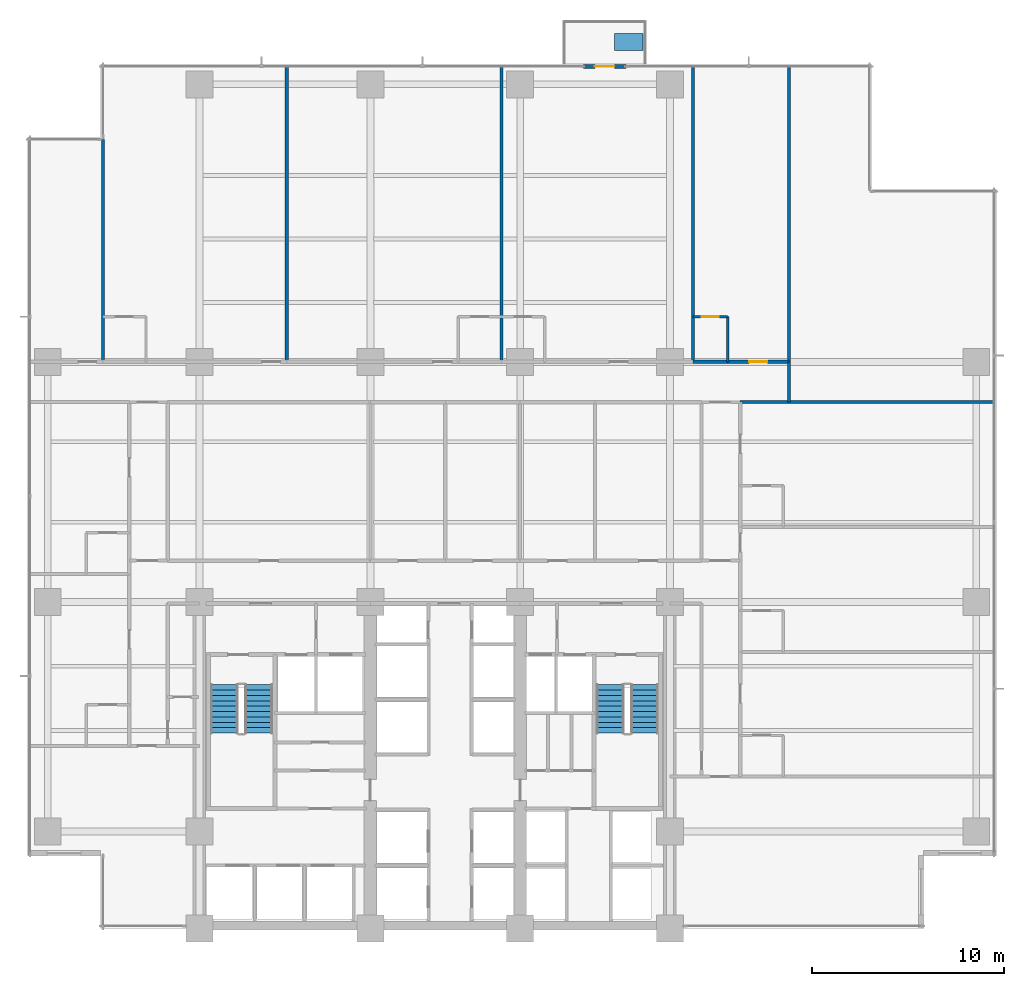
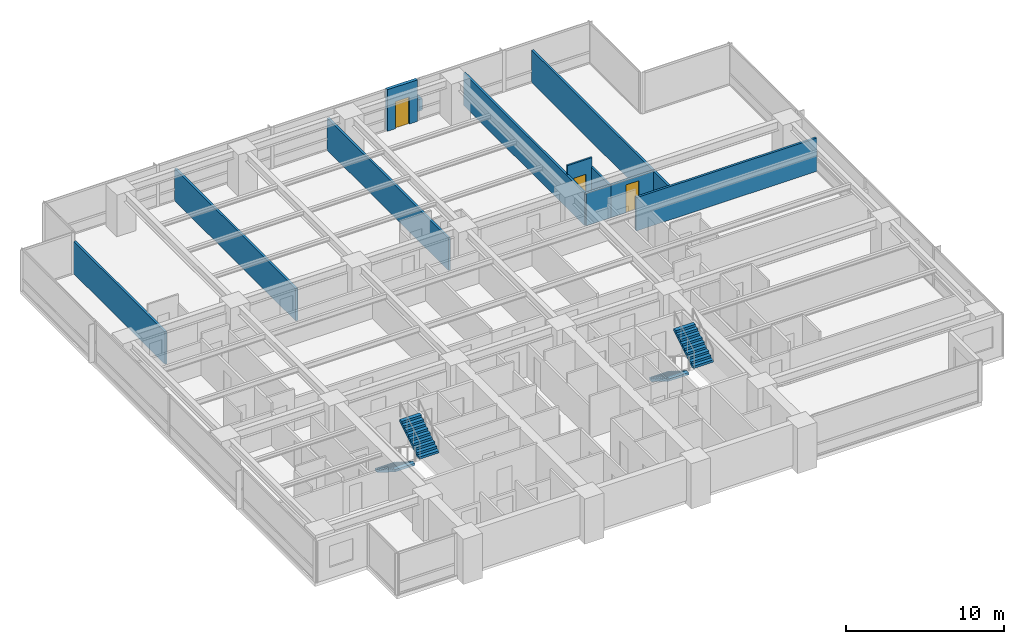
# One storey, part 11 of 16: 12 walls, 4 stair flights, 3 doors, 1 discrete accessory, 3 openings, 2 elements without a shape of their own.
"""IFC4 building model written with IfcOpenShell, lengths in metres."""

import ifcopenshell
import ifcopenshell.guid

model = None  # the IFC model being written
_history = None  # IfcOwnerHistory: only IFC2X3 demands one
_inside = {}  # id of a spatial element -> (the spatial element, [elements in it])
_under = {}  # id of a project, library or spatial element -> (it, [spatial elements below it])
_declared = {}  # id of a project -> (the project, [libraries it declares])
_typed = {}  # id of a type object -> (the type object, [elements of that type])
_made_of = {}  # id of a material, layer set ... -> (it, [elements and type objects made of it])


def new_model(schema):
    """Start an empty IFC model of exactly this schema.

    Asked for "IFC4X3", IfcOpenShell would pick the latest addendum, in which some entities
    have other attributes; the version numbers below select the first issue.
    IFC2X3 requires an IfcOwnerHistory on every rooted entity: one is made here for all.
    """
    global model, _history
    if schema == "IFC4X3":
        model = ifcopenshell.file(schema_version=(4, 3, 0, 0))
    else:
        model = ifcopenshell.file(schema=schema)
    _inside.clear()
    _under.clear()
    _declared.clear()
    _typed.clear()
    _made_of.clear()
    _history = None
    if model.schema == "IFC2X3":
        org = make("IfcOrganization", Name="unknown")
        user = make(
            "IfcPersonAndOrganization",
            ThePerson=make("IfcPerson", FamilyName="unknown"),
            TheOrganization=org,
        )
        app = make(
            "IfcApplication",
            ApplicationDeveloper=org,
            Version="unknown",
            ApplicationFullName="unknown",
            ApplicationIdentifier="unknown",
        )
        _history = make(
            "IfcOwnerHistory",
            OwningUser=user,
            OwningApplication=app,
            ChangeAction="ADDED",
            CreationDate=0,
        )
    return model


def make(cls, **values):
    """One entity of the class cls with the attributes given. An attribute that is None is left unset."""
    return model.create_entity(
        cls, **{name: value for name, value in values.items() if value is not None}
    )


def rooted(cls, **values):
    """An entity with a GlobalId (a new one), such as an element, a storey or a relation."""
    return make(cls, GlobalId=ifcopenshell.guid.new(), OwnerHistory=_history, **values)


def si_unit(unit_type, name, prefix=None):
    """IfcSIUnit, for example si_unit("LENGTHUNIT", "METRE", prefix="MILLI")."""
    return make("IfcSIUnit", UnitType=unit_type, Prefix=prefix, Name=name)


def assignment(units):
    """IfcUnitAssignment: the units of a project."""
    return None if units is None else make("IfcUnitAssignment", Units=units)


def point(xyz):
    """IfcCartesianPoint."""
    return None if xyz is None else make("IfcCartesianPoint", Coordinates=xyz)


def direction(xyz):
    """IfcDirection."""
    return None if xyz is None else make("IfcDirection", DirectionRatios=xyz)


def frame(location, z_axis=None, x_axis=None):
    """IfcAxis2Placement3D, a coordinate frame: its origin and axes. An axis left out is left unset."""
    return make(
        "IfcAxis2Placement3D",
        Location=point(location),
        Axis=direction(z_axis),
        RefDirection=direction(x_axis),
    )


def frame_2d(location, x_axis=None):
    """IfcAxis2Placement2D, a coordinate frame in the plane: its origin and x axis."""
    return make(
        "IfcAxis2Placement2D", Location=point(location), RefDirection=direction(x_axis)
    )


def origin():
    """The frame at (0, 0, 0) with its axes left unset."""
    return frame((0.0, 0.0, 0.0))


def place(relative_to, where):
    """IfcLocalPlacement: puts the frame where relative to a parent placement (None: the world)."""
    return make(
        "IfcLocalPlacement", PlacementRelTo=relative_to, RelativePlacement=where
    )


def context(
    kind, dimensions, precision=None, world=None, true_north=None, identifier=None
):
    """IfcGeometricRepresentationContext, for example the 3D "Model" context."""
    return make(
        "IfcGeometricRepresentationContext",
        ContextIdentifier=identifier,
        ContextType=kind,
        CoordinateSpaceDimension=dimensions,
        Precision=precision,
        WorldCoordinateSystem=world,
        TrueNorth=true_north,
    )


def subcontext(parent, identifier, kind, view, scale=None):
    """IfcGeometricRepresentationSubContext, for example "Body" below "Model"."""
    return make(
        "IfcGeometricRepresentationSubContext",
        ContextIdentifier=identifier,
        ContextType=kind,
        ParentContext=parent,
        TargetScale=scale,
        TargetView=view,
    )


def project(units=None, contexts=None):
    """IfcProject with its units and contexts."""
    return rooted(
        "IfcProject",
        Name="project",
        RepresentationContexts=contexts,
        UnitsInContext=assignment(units),
    )


def spatial(cls, under=None, at=None, **own):
    """A site, building, storey or space (cls), placed at a placement, below another one or the project."""
    s = rooted(cls, ObjectPlacement=at, **own)
    if under is not None:
        _under.setdefault(under.id(), (under, []))[1].append(s)
    return s


def polyline(points):
    """IfcPolyline through the points."""
    return make("IfcPolyline", Points=[point(p) for p in points])


def profile(cls, at=None, kind="AREA", **sizes):
    """A parametric profile (cls). Its sizes go by their IFC names, for example OverallWidth=200.0."""
    return make(cls, ProfileType=kind, Position=at, **sizes)


def rectangle(**sizes):
    """IfcRectangleProfileDef."""
    return profile("IfcRectangleProfileDef", **sizes)


def outline(outer, holes=None, kind="AREA"):
    """IfcArbitraryClosedProfileDef: a profile drawn as a closed curve; with holes, ...WithVoids."""
    if holes is None:
        return make("IfcArbitraryClosedProfileDef", ProfileType=kind, OuterCurve=outer)
    return make(
        "IfcArbitraryProfileDefWithVoids",
        ProfileType=kind,
        OuterCurve=outer,
        InnerCurves=holes,
    )


def extrude(swept, where, along, depth):
    """IfcExtrudedAreaSolid: the profile swept, set in the frame where, extruded along a direction by depth."""
    return make(
        "IfcExtrudedAreaSolid",
        SweptArea=swept,
        Position=where,
        ExtrudedDirection=direction(along),
        Depth=depth,
    )


def shape(context_of_items, identifier, shape_type, items):
    """IfcShapeRepresentation: the items that make up one representation, for example the "Body"."""
    return make(
        "IfcShapeRepresentation",
        ContextOfItems=context_of_items,
        RepresentationIdentifier=identifier,
        RepresentationType=shape_type,
        Items=items,
    )


def material(Name=None, Category=None):
    """IfcMaterial."""
    return make("IfcMaterial", Name=Name, Category=Category)


def layer(
    of_material, thickness, ventilated=None, Name=None, Category=None, Priority=None
):
    """IfcMaterialLayer: one layer of a wall or slab, of a material (None: an air gap)."""
    return make(
        "IfcMaterialLayer",
        Material=of_material,
        LayerThickness=thickness,
        IsVentilated=ventilated,
        Name=Name,
        Category=Category,
        Priority=Priority,
    )


def layer_set(layers, Name=None):
    """IfcMaterialLayerSet."""
    return make("IfcMaterialLayerSet", MaterialLayers=layers, LayerSetName=Name)


def made_of(thing, what):
    """Note that an element or type object is made of a material, layer set ...; save() writes the relation."""
    if what is not None:
        _made_of.setdefault(what.id(), (what, []))[1].append(thing)
    return thing


def type_object(cls, material=None, **own):
    """A type object (cls), such as IfcWallType, which elements share."""
    return made_of(rooted(cls, **own), material)


def element(
    cls,
    number,
    at=None,
    inside=None,
    cuts=None,
    type_object=None,
    material=None,
    context=None,
    identifier="Body",
    shape_type=None,
    held_by="IfcProductDefinitionShape",
    body=None,
    shapes=None,
    **own,
):
    """One element of the class cls, such as IfcWall. Its Tag is "e" and its number.

    at: its placement. inside: the storey or other place that contains it. cuts: it is an
    opening in that element (IfcRelVoidsElement). A single representation is given by context,
    identifier, shape_type and body (its items); several are given by shapes. held_by: the class
    of the entity that holds the representations. save() writes the other relations.
    """
    e = rooted(cls, Tag="e%d" % number, ObjectPlacement=at, **own)
    if body is not None:
        shapes = [shape(context, identifier, shape_type, body)]
    if shapes is not None:
        e.Representation = make(held_by, Representations=shapes)
    if inside is not None:
        _inside.setdefault(inside.id(), (inside, []))[1].append(e)
    if cuts is not None:
        rooted(
            "IfcRelVoidsElement", RelatingBuildingElement=cuts, RelatedOpeningElement=e
        )
    if type_object is not None:
        _typed.setdefault(type_object.id(), (type_object, []))[1].append(e)
    return made_of(e, material)


def fill(opening, filler):
    """IfcRelFillsElement: the door or window that sits in an opening."""
    return rooted(
        "IfcRelFillsElement",
        RelatingOpeningElement=opening,
        RelatedBuildingElement=filler,
    )


def aggregate(whole, parts):
    """IfcRelAggregates: a whole, such as a stair, and the parts it consists of."""
    return rooted("IfcRelAggregates", RelatingObject=whole, RelatedObjects=parts)


def save(model, path):
    """Write the relations noted so far, then the file.

    IfcRelAggregates (storeys below a building ...), IfcRelContainedInSpatialStructure (elements
    in a storey), IfcRelDefinesByType, IfcRelAssociatesMaterial and IfcRelDeclares: one each for
    every whole, place, type object, material and project.
    """
    for whole, parts in _under.values():
        aggregate(whole, parts)
    for where, things in _inside.values():
        rooted(
            "IfcRelContainedInSpatialStructure",
            RelatedElements=things,
            RelatingStructure=where,
        )
    for kind, things in _typed.values():
        rooted("IfcRelDefinesByType", RelatedObjects=things, RelatingType=kind)
    for what, things in _made_of.values():
        rooted("IfcRelAssociatesMaterial", RelatedObjects=things, RelatingMaterial=what)
    for by, libraries in _declared.values():
        rooted("IfcRelDeclares", RelatingContext=by, RelatedDefinitions=libraries)
    model.write(path)


model = new_model("IFC4")

# Units and contexts
model_context = context("Model", 3, precision=1e-05, world=origin(), true_north=direction((0.0, 1.0)))
body_context = subcontext(model_context, "Body", "Model", "MODEL_VIEW")
ifc_project = project(units=[si_unit("LENGTHUNIT", "METRE"), si_unit("AREAUNIT", "SQUARE_METRE"), si_unit("VOLUMEUNIT", "CUBIC_METRE"), si_unit("PLANEANGLEUNIT", "RADIAN"), si_unit("MASSUNIT", "GRAM", prefix="KILO")], contexts=[model_context])

# Site, building, storey
site_placement = place(None, origin())
site = spatial("IfcSite", under=ifc_project, at=site_placement, CompositionType="ELEMENT")
building_placement = place(site_placement, origin())
building = spatial("IfcBuilding", under=site, at=building_placement, Name="Qalmaran Belvedere Hotel", CompositionType="ELEMENT")
storey_placement = place(building_placement, frame((0.0, 0.0, 50.89990234375)))
storey = spatial("IfcBuildingStorey", under=building, at=storey_placement, Name="L12", CompositionType="ELEMENT", Elevation=50.89990234375)

# Wall, opening, door
ifc_material_1 = material(Name="Anodised Bronze Cladding")
ifc_layer_1 = layer(ifc_material_1, 0.22509765625, Name="Anodised Bronze Cladding")
ifc_layer_set_1 = layer_set([ifc_layer_1], Name="Anodised Bronze Cladding")
wall_type_1 = type_object("IfcWallType", Name="WL-BAL-PORT-225", PredefinedType="SOLIDWALL", material=ifc_layer_set_1)
wall_1_placement = place(storey_placement, frame((40.300048828125, 48.3798828125, 0.0), z_axis=(0.0, 0.0, 1.0), x_axis=(1.0, 0.0, 0.0)))
wall_1 = element("IfcWall", 1, at=wall_1_placement, inside=storey, type_object=wall_type_1, Name="L12 Tree Balcony Door Portal", PredefinedType="SOLIDWALL", context=body_context, shape_type="SweptSolid", body=[
    extrude(rectangle(XDim=2.199951171875, YDim=0.22509765625, at=frame_2d((1.10009765625, 0.0))), origin(), (0.0, 0.0, 1.0), 3.22021484375),
])
opening_1_placement = place(wall_1_placement, frame((0.590087890625, 0.0, 0.0)))
opening_1 = element("IfcOpeningElement", 2, at=opening_1_placement, cuts=wall_1, Name="Opening BL-102", PredefinedType="OPENING", context=body_context, shape_type="SweptSolid", body=[
    extrude(rectangle(XDim=1.02001953125, YDim=2.10009765625, at=frame_2d((0.510009765625, 1.050048828125))), frame((0.0, 0.12255859375, 0.0), z_axis=(0.0, -1.0, 0.0), x_axis=(1.0, 0.0, 0.0)), (0.0, 0.0, 1.0), 0.2451171875),
])
ifc_material_2 = material(Name="Anodised Bronze Aluminium", Category="aluminium")
door_type_1 = type_object("IfcDoorType", Name="DR-BAL-1020X2100", OperationType="NOTDEFINED", PredefinedType="DOOR", material=ifc_material_2)
door_1_placement = place(opening_1_placement, origin())
door_1 = element("IfcDoor", 3, at=door_1_placement, inside=storey, type_object=door_type_1, Name="L12 Planted Tree Balcony Door", OperationType="SINGLE_SWING_LEFT", OverallHeight=2.10009765625, OverallWidth=1.02001953125, PredefinedType="DOOR", context=body_context, shape_type="SweptSolid", body=[
    extrude(rectangle(XDim=1.02001953125, YDim=2.10009765625, at=frame_2d((0.510009765625, 1.050048828125))), frame((0.0, 0.02490234375, 0.0), z_axis=(0.0, -1.0, 0.0), x_axis=(1.0, 0.0, 0.0)), (0.0, 0.0, 1.0), 0.050048828125),
])
fill(opening_1, door_1)

ifc_material_3 = material(Name="Moisture-Resistant Gypsum")
ifc_layer_2 = layer(ifc_material_3, 0.1201171875, Name="Moisture-Resistant Gypsum")
ifc_layer_set_2 = layer_set([ifc_layer_2], Name="Moisture-Resistant Gypsum")
wall_type_2 = type_object("IfcWallType", Name="WL-INT-120-BATH", PredefinedType="PARTITIONING", material=ifc_layer_set_2)
wall_2_placement = place(storey_placement, frame((46.000732421875, 35.35009765625, 0.0), z_axis=(0.0, 0.0, 1.0), x_axis=(1.0, 0.0, 0.0)))
wall_2 = element("IfcWall", 4, at=wall_2_placement, inside=storey, type_object=wall_type_2, Name="L12 Partition WL-L12-NBN03", PredefinedType="PARTITIONING", context=body_context, shape_type="SweptSolid", body=[
    extrude(rectangle(XDim=1.800048828125, YDim=0.1201171875, at=frame_2d((0.89990234375, 0.0))), origin(), (0.0, 0.0, 1.0), 3.22021484375),
])
opening_2_placement = place(wall_2_placement, frame((1.33984375, 0.0, 0.0), z_axis=(0.0, 0.0, 1.0), x_axis=(-1.0, 0.0, 0.0)))
opening_2 = element("IfcOpeningElement", 5, at=opening_2_placement, cuts=wall_2, Name="Opening D-BATH", PredefinedType="OPENING", context=body_context, shape_type="SweptSolid", body=[
    extrude(rectangle(XDim=0.8798828125, YDim=2.080078125, at=frame_2d((0.43994140625, 1.0400390625))), frame((0.0, 0.070068359375, 0.0), z_axis=(0.0, -1.0, 0.0), x_axis=(1.0, 0.0, 0.0)), (0.0, 0.0, 1.0), 0.14013671875),
])
ifc_material_4 = material(Name="Engineered Oak Veneer")
door_type_2 = type_object("IfcDoorType", Name="DR-INT-BATH-880X2080", OperationType="NOTDEFINED", PredefinedType="DOOR", material=ifc_material_4)
door_2_placement = place(opening_2_placement, origin())
door_2 = element("IfcDoor", 6, at=door_2_placement, inside=storey, type_object=door_type_2, Name="L12 Ensuite Bathroom Door N04", OperationType="SINGLE_SWING_LEFT", OverallHeight=2.080078125, OverallWidth=0.8798828125, PredefinedType="DOOR", context=body_context, shape_type="SweptSolid", body=[
    extrude(rectangle(XDim=0.8798828125, YDim=2.080078125, at=frame_2d((0.43994140625, 1.0400390625))), frame((0.0, 0.02490234375, 0.0), z_axis=(0.0, -1.0, 0.0), x_axis=(1.0, 0.0, 0.0)), (0.0, 0.0, 1.0), 0.050048828125),
])
fill(opening_2, door_2)

# Walls
wall_3_placement = place(storey_placement, frame((47.80078125, 33.0, 0.0), z_axis=(0.0, 0.0, 1.0), x_axis=(0.0, 1.0, 0.0)))
element("IfcWall", 7, at=wall_3_placement, inside=storey, type_object=wall_type_2, Name="L12 Partition WL-L12-NBS03", PredefinedType="PARTITIONING", context=body_context, shape_type="SweptSolid", body=[
    extrude(rectangle(XDim=2.35009765625, YDim=0.1201171875, at=frame_2d((1.175048828125, 0.0))), origin(), (0.0, 0.0, 1.0), 2.510009765625),
])
ifc_material_5 = material(Name="Gypsum Stud Partition")
ifc_layer_3 = layer(ifc_material_5, 0.159912109375, Name="Gypsum Stud Partition")
ifc_layer_set_3 = layer_set([ifc_layer_3], Name="Gypsum Stud Partition")
wall_type_3 = type_object("IfcWallType", Name="WL-INT-160-EI60", PredefinedType="PARTITIONING", material=ifc_layer_set_3)
wall_4_placement = place(storey_placement, frame((51.0, 30.89990234375, 0.0), z_axis=(0.0, 0.0, 1.0), x_axis=(0.0, 1.0, 0.0)))
element("IfcWall", 8, at=wall_4_placement, inside=storey, type_object=wall_type_3, Name="L12 Partition WL-L12-NCGE", PredefinedType="PARTITIONING", context=body_context, shape_type="SweptSolid", body=[
    extrude(rectangle(XDim=2.10009765625, YDim=0.159912109375, at=frame_2d((1.050048828125, 0.0))), origin(), (0.0, 0.0, 1.0), 2.510009765625),
])
wall_5_placement = place(storey_placement, frame((15.27001953125, 33.0, 0.0), z_axis=(0.0, 0.0, 1.0), x_axis=(0.0, 1.0, 0.0)))
element("IfcWall", 9, at=wall_5_placement, inside=storey, type_object=wall_type_3, Name="L12 Partition WL-L12-NUL", PredefinedType="PARTITIONING", context=body_context, shape_type="SweptSolid", body=[
    extrude(rectangle(XDim=11.580078125, YDim=0.159912109375, at=frame_2d((5.7900390625, 0.0))), origin(), (0.0, 0.0, 1.0), 2.510009765625),
])
for number, where, z_axis, x_axis, name in (
    (10, (24.848388671875, 33.0, 0.0), (0.0, 0.0, 1.0), (0.0, 1.0, 0.0), "L12 Partition WL-L12-NUR00"),
    (11, (36.023193359375, 33.0, 0.0), (0.0, 0.0, 1.0), (0.0, 1.0, 0.0), "L12 Partition WL-L12-NUR01"),
    (12, (46.000732421875, 33.0, 0.0), (0.0, 0.0, 1.0), (0.0, 1.0, 0.0), "L12 Partition WL-L12-NUR02"),
    (13, (51.0, 33.0, 0.0), (0.0, 0.0, 1.0), (0.0, 1.0, 0.0), "L12 Partition WL-L12-NUR03"),
):
    element("IfcWall", number, at=place(storey_placement, frame(where, z_axis=z_axis, x_axis=x_axis)), inside=storey, type_object=wall_type_3, Name=name, PredefinedType="PARTITIONING", context=body_context, shape_type="SweptSolid", body=[
        extrude(rectangle(XDim=15.3798828125, YDim=0.159912109375, at=frame_2d((7.68994140625, 0.0))), origin(), (0.0, 0.0, 1.0), 2.510009765625),
    ])
wall_6_placement = place(storey_placement, frame((48.449951171875, 30.89990234375, 0.0), z_axis=(0.0, 0.0, 1.0), x_axis=(1.0, 0.0, 0.0)))
element("IfcWall", 14, at=wall_6_placement, inside=storey, type_object=wall_type_3, Name="L12 Partition WL-L12-EU02", PredefinedType="PARTITIONING", context=body_context, shape_type="SweptSolid", body=[
    extrude(rectangle(XDim=13.22998046875, YDim=0.159912109375, at=frame_2d((6.614990234375, 0.0))), origin(), (0.0, 0.0, 1.0), 2.5830078125),
])
ifc_layer_4 = layer(ifc_material_5, 0.179931640625, Name="Gypsum Stud Partition")
ifc_layer_set_4 = layer_set([ifc_layer_4], Name="Gypsum Stud Partition")
wall_type_4 = type_object("IfcWallType", Name="WL-INT-180-EI60", PredefinedType="PARTITIONING", material=ifc_layer_set_4)
wall_7_placement = place(storey_placement, frame((46.000732421875, 33.0, 0.0), z_axis=(0.0, 0.0, 1.0), x_axis=(1.0, 0.0, 0.0)))
element("IfcWall", 15, at=wall_7_placement, inside=storey, type_object=wall_type_4, Name="L12 Partition WL-L12-NBC03", PredefinedType="PARTITIONING", context=body_context, shape_type="SweptSolid", body=[
    extrude(rectangle(XDim=1.800048828125, YDim=0.179931640625, at=frame_2d((0.89990234375, 0.0))), origin(), (0.0, 0.0, 1.0), 2.510009765625),
])

# Wall, opening, door
wall_8_placement = place(storey_placement, frame((47.80078125, 33.0, 0.0), z_axis=(0.0, 0.0, 1.0), x_axis=(1.0, 0.0, 0.0)))
wall_8 = element("IfcWall", 16, at=wall_8_placement, inside=storey, type_object=wall_type_4, Name="L12 Partition WL-L12-NEC03", PredefinedType="PARTITIONING", context=body_context, shape_type="SweptSolid", body=[
    extrude(rectangle(XDim=3.19921875, YDim=0.179931640625, at=frame_2d((1.599609375, 0.0))), origin(), (0.0, 0.0, 1.0), 2.510009765625),
])
opening_3_placement = place(wall_8_placement, frame((1.124755859375, 0.0, 0.0)))
opening_3 = element("IfcOpeningElement", 17, at=opening_3_placement, cuts=wall_8, Name="Opening FD60", PredefinedType="OPENING", context=body_context, shape_type="SweptSolid", body=[
    extrude(rectangle(XDim=0.949951171875, YDim=2.14990234375, at=frame_2d((0.47509765625, 1.074951171875))), frame((0.0, 0.10009765625, 0.0), z_axis=(0.0, -1.0, 0.0), x_axis=(1.0, 0.0, 0.0)), (0.0, 0.0, 1.0), 0.199951171875),
])
door_type_3 = type_object("IfcDoorType", Name="DR-FD60-950X2150", OperationType="NOTDEFINED", PredefinedType="DOOR", material=ifc_material_4)
door_3_placement = place(opening_3_placement, origin())
door_3 = element("IfcDoor", 18, at=door_3_placement, inside=storey, type_object=door_type_3, Name="L12 Guest Entrance Door N04", OperationType="SINGLE_SWING_RIGHT", OverallHeight=2.14990234375, OverallWidth=0.949951171875, PredefinedType="DOOR", context=body_context, shape_type="SweptSolid", body=[
    extrude(rectangle(XDim=0.949951171875, YDim=2.14990234375, at=frame_2d((0.47509765625, 1.074951171875))), frame((0.0, 0.02490234375, 0.0), z_axis=(0.0, -1.0, 0.0), x_axis=(1.0, 0.0, 0.0)), (0.0, 0.0, 1.0), 0.050048828125),
])
fill(opening_3, door_3)

# Stair, stair flights
ifc_material_6 = material(Name="Concrete C40/50", Category="concrete")
stair_type_1 = type_object("IfcStairType", Name="STR-ST-1-1450-R1750", PredefinedType="HALF_TURN_STAIR", material=ifc_material_6)
stair_1_placement = place(storey_placement, origin())
stair_1 = element("IfcStair", 19, at=stair_1_placement, inside=storey, type_object=stair_type_1, Name="L12 West Core Exit Stair ST-1", PredefinedType="HALF_TURN_STAIR")
ifc_layer_5 = layer(ifc_material_6, 0.14990234375, Name="Concrete C40/50")
ifc_layer_set_5 = layer_set([ifc_layer_5], Name="Concrete C40/50")
stair_flight_type_1 = type_object("IfcStairFlightType", Name="STF-ST-1-1450-R1750", PredefinedType="STRAIGHT", material=ifc_layer_set_5)
stair_flight_1_placement = place(storey_placement, frame((21.60498046875, 16.18994140625, 0.0), z_axis=(0.0, 0.0, 1.0), x_axis=(0.0, -1.0, 0.0)))
stair_flight_1 = element("IfcStairFlight", 20, at=stair_flight_1_placement, type_object=stair_flight_type_1, Name="ST-1 flight 1", NumberOfRisers=10, NumberOfTreads=9, PredefinedType="STRAIGHT", RiserHeight=0.175, TreadLength=0.28, context=body_context, shape_type="SweptSolid", body=[
    extrude(outline(polyline([(0.0, 0.0), (0.0, 0.175048828125), (0.280029296875, 0.175048828125), (0.280029296875, 0.35009765625), (0.56005859375, 0.35009765625), (0.56005859375, 0.52490234375), (0.840087890625, 0.52490234375), (0.840087890625, 0.699951171875), (1.1201171875, 0.699951171875), (1.1201171875, 0.875), (1.39990234375, 0.875), (1.39990234375, 1.050048828125), (1.679931640625, 1.050048828125), (1.679931640625, 1.22509765625), (1.9599609375, 1.22509765625), (1.9599609375, 1.39990234375), (2.239990234375, 1.39990234375), (2.239990234375, 1.574951171875), (2.52001953125, 1.574951171875), (2.52001953125, 1.75), (2.52001953125, 1.398193359375), (0.28271484375, 0.0), (0.0, 0.0)])), frame((0.0, 0.72509765625, 0.0), z_axis=(0.0, -1.0, 0.0), x_axis=(1.0, 0.0, 0.0)), (0.0, 0.0, 1.0), 1.449951171875),
])
stair_flight_2_placement = place(storey_placement, frame((23.39501953125, 13.669921875, 1.75), z_axis=(0.0, 0.0, 1.0), x_axis=(0.0, 1.0, 0.0)))
stair_flight_2 = element("IfcStairFlight", 21, at=stair_flight_2_placement, type_object=stair_flight_type_1, Name="ST-1 flight 2", NumberOfRisers=10, NumberOfTreads=9, PredefinedType="STRAIGHT", RiserHeight=0.175, TreadLength=0.28, context=body_context, shape_type="SweptSolid", body=[
    extrude(outline(polyline([(0.0, 0.0), (0.0, 0.175048828125), (0.280029296875, 0.175048828125), (0.280029296875, 0.35009765625), (0.56005859375, 0.35009765625), (0.56005859375, 0.52490234375), (0.840087890625, 0.52490234375), (0.840087890625, 0.699951171875), (1.1201171875, 0.699951171875), (1.1201171875, 0.875), (1.39990234375, 0.875), (1.39990234375, 1.050048828125), (1.679931640625, 1.050048828125), (1.679931640625, 1.22509765625), (1.9599609375, 1.22509765625), (1.9599609375, 1.39990234375), (2.239990234375, 1.39990234375), (2.239990234375, 1.574951171875), (2.52001953125, 1.574951171875), (2.52001953125, 1.75), (2.52001953125, 1.398193359375), (0.28271484375, 0.0), (0.0, 0.0)])), frame((0.0, 0.72509765625, 0.0), z_axis=(0.0, -1.0, 0.0), x_axis=(1.0, 0.0, 0.0)), (0.0, 0.0, 1.0), 1.449951171875),
])
aggregate(stair_1, [stair_flight_1, stair_flight_2])

stair_type_2 = type_object("IfcStairType", Name="STR-ST-2-1450-R1750", PredefinedType="HALF_TURN_STAIR", material=ifc_material_6)
stair_2_placement = place(storey_placement, origin())
stair_2 = element("IfcStair", 22, at=stair_2_placement, inside=storey, type_object=stair_type_2, Name="L12 East Core Exit Stair ST-2", PredefinedType="HALF_TURN_STAIR")
ifc_layer_6 = layer(ifc_material_6, 0.14990234375, Name="Concrete C40/50")
ifc_layer_set_6 = layer_set([ifc_layer_6], Name="Concrete C40/50")
stair_flight_type_2 = type_object("IfcStairFlightType", Name="STF-ST-2-1450-R1750", PredefinedType="STRAIGHT", material=ifc_layer_set_6)
stair_flight_3_placement = place(storey_placement, frame((41.68505859375, 16.18994140625, 0.0), z_axis=(0.0, 0.0, 1.0), x_axis=(0.0, -1.0, 0.0)))
stair_flight_3 = element("IfcStairFlight", 23, at=stair_flight_3_placement, type_object=stair_flight_type_2, Name="ST-2 flight 1", NumberOfRisers=10, NumberOfTreads=9, PredefinedType="STRAIGHT", RiserHeight=0.175, TreadLength=0.28, context=body_context, shape_type="SweptSolid", body=[
    extrude(outline(polyline([(0.0, 0.0), (0.0, 0.175048828125), (0.280029296875, 0.175048828125), (0.280029296875, 0.35009765625), (0.56005859375, 0.35009765625), (0.56005859375, 0.52490234375), (0.840087890625, 0.52490234375), (0.840087890625, 0.699951171875), (1.1201171875, 0.699951171875), (1.1201171875, 0.875), (1.39990234375, 0.875), (1.39990234375, 1.050048828125), (1.679931640625, 1.050048828125), (1.679931640625, 1.22509765625), (1.9599609375, 1.22509765625), (1.9599609375, 1.39990234375), (2.239990234375, 1.39990234375), (2.239990234375, 1.574951171875), (2.52001953125, 1.574951171875), (2.52001953125, 1.75), (2.52001953125, 1.398193359375), (0.28271484375, 0.0), (0.0, 0.0)])), frame((0.0, 0.72509765625, 0.0), z_axis=(0.0, -1.0, 0.0), x_axis=(1.0, 0.0, 0.0)), (0.0, 0.0, 1.0), 1.449951171875),
])
stair_flight_4_placement = place(storey_placement, frame((43.47509765625, 13.669921875, 1.75), z_axis=(0.0, 0.0, 1.0), x_axis=(0.0, 1.0, 0.0)))
stair_flight_4 = element("IfcStairFlight", 24, at=stair_flight_4_placement, type_object=stair_flight_type_2, Name="ST-2 flight 2", NumberOfRisers=10, NumberOfTreads=9, PredefinedType="STRAIGHT", RiserHeight=0.175, TreadLength=0.28, context=body_context, shape_type="SweptSolid", body=[
    extrude(outline(polyline([(0.0, 0.0), (0.0, 0.175048828125), (0.280029296875, 0.175048828125), (0.280029296875, 0.35009765625), (0.56005859375, 0.35009765625), (0.56005859375, 0.52490234375), (0.840087890625, 0.52490234375), (0.840087890625, 0.699951171875), (1.1201171875, 0.699951171875), (1.1201171875, 0.875), (1.39990234375, 0.875), (1.39990234375, 1.050048828125), (1.679931640625, 1.050048828125), (1.679931640625, 1.22509765625), (1.9599609375, 1.22509765625), (1.9599609375, 1.39990234375), (2.239990234375, 1.39990234375), (2.239990234375, 1.574951171875), (2.52001953125, 1.574951171875), (2.52001953125, 1.75), (2.52001953125, 1.398193359375), (0.28271484375, 0.0), (0.0, 0.0)])), frame((0.0, 0.72509765625, 0.0), z_axis=(0.0, -1.0, 0.0), x_axis=(1.0, 0.0, 0.0)), (0.0, 0.0, 1.0), 1.449951171875),
])
aggregate(stair_2, [stair_flight_3, stair_flight_4])

# Discrete accessory
discrete_accessory_type = type_object("IfcDiscreteAccessoryType", Name="PLN-BAL-1500", PredefinedType="USERDEFINED", material=ifc_material_6)
discrete_accessory_placement = place(storey_placement, origin())
element("IfcDiscreteAccessory", 25, at=discrete_accessory_placement, inside=storey, type_object=discrete_accessory_type, Name="L12 Sky Tree Planter", ObjectType="PLANTER", PredefinedType="USERDEFINED", context=body_context, shape_type="SweptSolid", body=[
    extrude(outline(polyline([(41.89990234375, 49.199951171875), (43.39990234375, 49.199951171875), (43.39990234375, 50.10009765625), (41.89990234375, 50.10009765625), (41.89990234375, 49.199951171875)])), origin(), (0.0, 0.0, 1.0), 0.900146484375),
])

save(model, "model.ifc")
